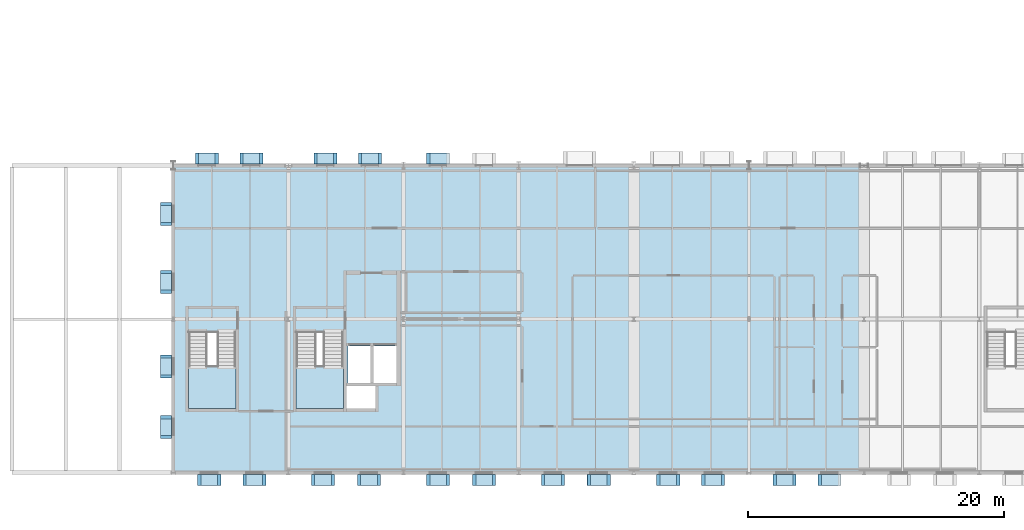
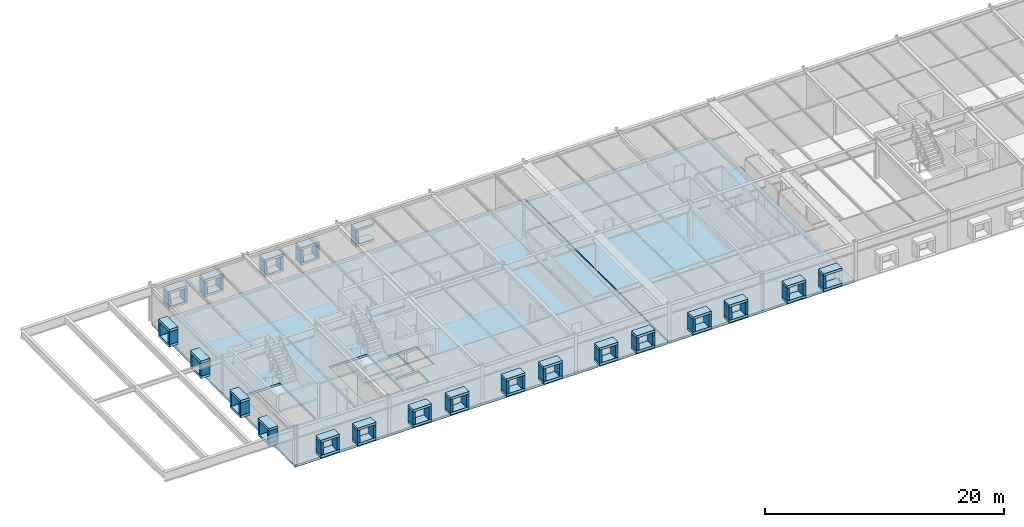
# One storey, part 16 of 36: 82 plates, 4 slabs, 2 elements without a shape of their own.
"""IFC4 building model written with IfcOpenShell, lengths in metres."""

from ifc_helpers import new_model, si_unit, direction, frame, origin, origin_2d, place, context, subcontext, project, spatial, polyline, rectangle, outline, extrude, material, layer, layer_set, type_object, element, aggregate, save


model = new_model("IFC4")

# Units and contexts
model_context = context("Model", 3, precision=1e-05, world=origin(), true_north=direction((0.0, 1.0)))
body_context = subcontext(model_context, "Body", "Model", "MODEL_VIEW")
ifc_project = project(units=[si_unit("LENGTHUNIT", "METRE"), si_unit("AREAUNIT", "SQUARE_METRE"), si_unit("VOLUMEUNIT", "CUBIC_METRE"), si_unit("PLANEANGLEUNIT", "RADIAN"), si_unit("MASSUNIT", "GRAM", prefix="KILO")], contexts=[model_context])

# Site, building, storey
site_placement = place(None, origin())
site = spatial("IfcSite", under=ifc_project, at=site_placement, CompositionType="ELEMENT")
building_placement = place(site_placement, origin())
building = spatial("IfcBuilding", under=site, at=building_placement, Name="Montelvaro Courts of Justice", CompositionType="ELEMENT")
storey_placement = place(building_placement, frame((0.0, 0.0, 23.39990234375)))
storey = spatial("IfcBuildingStorey", under=building, at=storey_placement, Name="L05", CompositionType="ELEMENT", Elevation=23.39990234375)

# Slabs
ifc_material_1 = material(Name="Concrete C35/45", Category="concrete")
ifc_layer_1 = layer(ifc_material_1, 0.239990234375)
ifc_layer_set_1 = layer_set([ifc_layer_1], Name="Concrete C35/45")
slab_type_1 = type_object("IfcSlabType", Name="FloorSlab_240", PredefinedType="FLOOR", material=ifc_layer_set_1)
slab_1_placement = place(storey_placement, frame((0.0, 0.0, -0.239990234375)))
element("IfcSlab", 1, at=slab_1_placement, inside=storey, type_object=slab_type_1, Name="Structural Slab SF-08 L05", PredefinedType="FLOOR", context=body_context, shape_type="SweptSolid", body=[
    extrude(outline(polyline([(45.0, 0.0), (80.949951171875, 0.0), (80.949951171875, 24.0), (45.0, 24.0), (45.0, 0.0)]), holes=[polyline([(54.60009765625, 5.0), (58.300048828125, 5.0), (58.300048828125, 11.0), (54.60009765625, 11.0), (54.60009765625, 5.0)]), polyline([(58.5400390625, 5.0), (60.800048828125, 5.0), (60.800048828125, 6.760009765625), (58.5400390625, 6.760009765625), (58.5400390625, 5.0)]), polyline([(58.64990234375, 7.0), (60.5, 7.0), (60.5, 9.89990234375), (58.64990234375, 9.89990234375), (58.64990234375, 7.0)]), polyline([(60.60009765625, 7.0), (62.449951171875, 7.0), (62.449951171875, 9.89990234375), (60.60009765625, 9.89990234375), (60.60009765625, 7.0)]), polyline([(46.199951171875, 5.0), (49.89990234375, 5.0), (49.89990234375, 11.0), (46.199951171875, 11.0), (46.199951171875, 5.0)])]), origin(), (0.0, 0.0, 1.0), 0.239990234375),
])
slab_2_placement = place(storey_placement, frame((0.0, 0.0, -0.239990234375)))
element("IfcSlab", 2, at=slab_2_placement, inside=storey, type_object=slab_type_1, Name="Structural Slab SF-08 L05", PredefinedType="FLOOR", context=body_context, shape_type="SweptSolid", body=[
    extrude(outline(polyline([(81.050048828125, 0.0), (98.949951171875, 0.0), (98.949951171875, 24.0), (81.050048828125, 24.0), (81.050048828125, 0.0)])), origin(), (0.0, 0.0, 1.0), 0.239990234375),
])

# Plates
ifc_material_2 = material(Name="White mineral precast concrete C45/55", Category="concrete")
ifc_layer_2 = layer(ifc_material_2, 0.25)
ifc_layer_set_2 = layer_set([ifc_layer_2], Name="White mineral precast concrete C45/55")
plate_type = type_object("IfcPlateType", Name="PrecastSquareFrame_250x850", PredefinedType="SHEET", material=ifc_layer_set_2)
for number, where, z_axis, x_axis, name in (
    (3, (47.81494140625, -0.56005859375, 2.2001953125), (0.0, 0.0, 1.0), (1.0, 0.0, 0.0), "Graduated Square Window Frame PF-03 W-L05-237 TOP"),
    (4, (47.81494140625, -0.56005859375, 0.650146484375), (0.0, 0.0, 1.0), (1.0, 0.0, 0.0), "Graduated Square Window Frame PF-03 W-L05-237 BOT"),
):
    element("IfcPlate", number, at=place(storey_placement, frame(where, z_axis=z_axis, x_axis=x_axis)), inside=storey, type_object=plate_type, Name=name, PredefinedType="SHEET", context=body_context, shape_type="SweptSolid", body=[
        extrude(rectangle(XDim=1.800048828125, YDim=0.860107421875, at=origin_2d()), origin(), (0.0, 0.0, 1.0), 0.25),
    ])
for number, where, z_axis, x_axis, name in (
    (5, (47.0400390625, -0.56005859375, 0.89990234375), (0.0, 0.0, 1.0), (1.0, 0.0, 0.0), "Graduated Square Window Frame PF-03 W-L05-237 L"),
    (6, (48.590087890625, -0.56005859375, 0.89990234375), (0.0, 0.0, 1.0), (1.0, 0.0, 0.0), "Graduated Square Window Frame PF-03 W-L05-237 R"),
):
    element("IfcPlate", number, at=place(storey_placement, frame(where, z_axis=z_axis, x_axis=x_axis)), inside=storey, type_object=plate_type, Name=name, PredefinedType="SHEET", context=body_context, shape_type="SweptSolid", body=[
        extrude(rectangle(XDim=0.25, YDim=0.860107421875, at=origin_2d()), origin(), (0.0, 0.0, 1.0), 1.300048828125),
    ])
for number, where, z_axis, x_axis, name in (
    (7, (51.344970703125, -0.56005859375, 2.2001953125), (0.0, 0.0, 1.0), (1.0, 0.0, 0.0), "Graduated Square Window Frame PF-03 W-L05-238 TOP"),
    (8, (51.344970703125, -0.56005859375, 0.650146484375), (0.0, 0.0, 1.0), (1.0, 0.0, 0.0), "Graduated Square Window Frame PF-03 W-L05-238 BOT"),
):
    element("IfcPlate", number, at=place(storey_placement, frame(where, z_axis=z_axis, x_axis=x_axis)), inside=storey, type_object=plate_type, Name=name, PredefinedType="SHEET", context=body_context, shape_type="SweptSolid", body=[
        extrude(rectangle(XDim=1.800048828125, YDim=0.860107421875, at=origin_2d()), origin(), (0.0, 0.0, 1.0), 0.25),
    ])
for number, where, z_axis, x_axis, name in (
    (9, (50.570068359375, -0.56005859375, 0.89990234375), (0.0, 0.0, 1.0), (1.0, 0.0, 0.0), "Graduated Square Window Frame PF-03 W-L05-238 L"),
    (10, (52.1201171875, -0.56005859375, 0.89990234375), (0.0, 0.0, 1.0), (1.0, 0.0, 0.0), "Graduated Square Window Frame PF-03 W-L05-238 R"),
):
    element("IfcPlate", number, at=place(storey_placement, frame(where, z_axis=z_axis, x_axis=x_axis)), inside=storey, type_object=plate_type, Name=name, PredefinedType="SHEET", context=body_context, shape_type="SweptSolid", body=[
        extrude(rectangle(XDim=0.25, YDim=0.860107421875, at=origin_2d()), origin(), (0.0, 0.0, 1.0), 1.300048828125),
    ])
for number, where, z_axis, x_axis, name in (
    (11, (56.702880859375, -0.56005859375, 2.2001953125), (0.0, 0.0, 1.0), (1.0, 0.0, 0.0), "Graduated Square Window Frame PF-03 W-L05-239 TOP"),
    (12, (56.702880859375, -0.56005859375, 0.650146484375), (0.0, 0.0, 1.0), (1.0, 0.0, 0.0), "Graduated Square Window Frame PF-03 W-L05-239 BOT"),
):
    element("IfcPlate", number, at=place(storey_placement, frame(where, z_axis=z_axis, x_axis=x_axis)), inside=storey, type_object=plate_type, Name=name, PredefinedType="SHEET", context=body_context, shape_type="SweptSolid", body=[
        extrude(rectangle(XDim=1.800048828125, YDim=0.860107421875, at=origin_2d()), origin(), (0.0, 0.0, 1.0), 0.25),
    ])
for number, where, z_axis, x_axis, name in (
    (13, (55.927978515625, -0.56005859375, 0.89990234375), (0.0, 0.0, 1.0), (1.0, 0.0, 0.0), "Graduated Square Window Frame PF-03 W-L05-239 L"),
    (14, (57.47802734375, -0.56005859375, 0.89990234375), (0.0, 0.0, 1.0), (1.0, 0.0, 0.0), "Graduated Square Window Frame PF-03 W-L05-239 R"),
):
    element("IfcPlate", number, at=place(storey_placement, frame(where, z_axis=z_axis, x_axis=x_axis)), inside=storey, type_object=plate_type, Name=name, PredefinedType="SHEET", context=body_context, shape_type="SweptSolid", body=[
        extrude(rectangle(XDim=0.25, YDim=0.860107421875, at=origin_2d()), origin(), (0.0, 0.0, 1.0), 1.300048828125),
    ])
for number, where, z_axis, x_axis, name in (
    (15, (60.297119140625, -0.56005859375, 2.2001953125), (0.0, 0.0, 1.0), (1.0, 0.0, 0.0), "Graduated Square Window Frame PF-03 W-L05-240 TOP"),
    (16, (60.297119140625, -0.56005859375, 0.650146484375), (0.0, 0.0, 1.0), (1.0, 0.0, 0.0), "Graduated Square Window Frame PF-03 W-L05-240 BOT"),
):
    element("IfcPlate", number, at=place(storey_placement, frame(where, z_axis=z_axis, x_axis=x_axis)), inside=storey, type_object=plate_type, Name=name, PredefinedType="SHEET", context=body_context, shape_type="SweptSolid", body=[
        extrude(rectangle(XDim=1.800048828125, YDim=0.860107421875, at=origin_2d()), origin(), (0.0, 0.0, 1.0), 0.25),
    ])
for number, where, z_axis, x_axis, name in (
    (17, (59.52197265625, -0.56005859375, 0.89990234375), (0.0, 0.0, 1.0), (1.0, 0.0, 0.0), "Graduated Square Window Frame PF-03 W-L05-240 L"),
    (18, (61.072021484375, -0.56005859375, 0.89990234375), (0.0, 0.0, 1.0), (1.0, 0.0, 0.0), "Graduated Square Window Frame PF-03 W-L05-240 R"),
):
    element("IfcPlate", number, at=place(storey_placement, frame(where, z_axis=z_axis, x_axis=x_axis)), inside=storey, type_object=plate_type, Name=name, PredefinedType="SHEET", context=body_context, shape_type="SweptSolid", body=[
        extrude(rectangle(XDim=0.25, YDim=0.860107421875, at=origin_2d()), origin(), (0.0, 0.0, 1.0), 1.300048828125),
    ])
for number, where, z_axis, x_axis, name in (
    (19, (65.702880859375, -0.56005859375, 2.2001953125), (0.0, 0.0, 1.0), (1.0, 0.0, 0.0), "Graduated Square Window Frame PF-03 W-L05-241 TOP"),
    (20, (65.702880859375, -0.56005859375, 0.650146484375), (0.0, 0.0, 1.0), (1.0, 0.0, 0.0), "Graduated Square Window Frame PF-03 W-L05-241 BOT"),
):
    element("IfcPlate", number, at=place(storey_placement, frame(where, z_axis=z_axis, x_axis=x_axis)), inside=storey, type_object=plate_type, Name=name, PredefinedType="SHEET", context=body_context, shape_type="SweptSolid", body=[
        extrude(rectangle(XDim=1.800048828125, YDim=0.860107421875, at=origin_2d()), origin(), (0.0, 0.0, 1.0), 0.25),
    ])
for number, where, z_axis, x_axis, name in (
    (21, (64.927978515625, -0.56005859375, 0.89990234375), (0.0, 0.0, 1.0), (1.0, 0.0, 0.0), "Graduated Square Window Frame PF-03 W-L05-241 L"),
    (22, (66.47802734375, -0.56005859375, 0.89990234375), (0.0, 0.0, 1.0), (1.0, 0.0, 0.0), "Graduated Square Window Frame PF-03 W-L05-241 R"),
):
    element("IfcPlate", number, at=place(storey_placement, frame(where, z_axis=z_axis, x_axis=x_axis)), inside=storey, type_object=plate_type, Name=name, PredefinedType="SHEET", context=body_context, shape_type="SweptSolid", body=[
        extrude(rectangle(XDim=0.25, YDim=0.860107421875, at=origin_2d()), origin(), (0.0, 0.0, 1.0), 1.300048828125),
    ])
for number, where, z_axis, x_axis, name in (
    (23, (69.297119140625, -0.56005859375, 2.2001953125), (0.0, 0.0, 1.0), (1.0, 0.0, 0.0), "Graduated Square Window Frame PF-03 W-L05-242 TOP"),
    (24, (69.297119140625, -0.56005859375, 0.650146484375), (0.0, 0.0, 1.0), (1.0, 0.0, 0.0), "Graduated Square Window Frame PF-03 W-L05-242 BOT"),
):
    element("IfcPlate", number, at=place(storey_placement, frame(where, z_axis=z_axis, x_axis=x_axis)), inside=storey, type_object=plate_type, Name=name, PredefinedType="SHEET", context=body_context, shape_type="SweptSolid", body=[
        extrude(rectangle(XDim=1.800048828125, YDim=0.860107421875, at=origin_2d()), origin(), (0.0, 0.0, 1.0), 0.25),
    ])
for number, where, z_axis, x_axis, name in (
    (25, (68.52197265625, -0.56005859375, 0.89990234375), (0.0, 0.0, 1.0), (1.0, 0.0, 0.0), "Graduated Square Window Frame PF-03 W-L05-242 L"),
    (26, (70.072021484375, -0.56005859375, 0.89990234375), (0.0, 0.0, 1.0), (1.0, 0.0, 0.0), "Graduated Square Window Frame PF-03 W-L05-242 R"),
):
    element("IfcPlate", number, at=place(storey_placement, frame(where, z_axis=z_axis, x_axis=x_axis)), inside=storey, type_object=plate_type, Name=name, PredefinedType="SHEET", context=body_context, shape_type="SweptSolid", body=[
        extrude(rectangle(XDim=0.25, YDim=0.860107421875, at=origin_2d()), origin(), (0.0, 0.0, 1.0), 1.300048828125),
    ])
for number, where, z_axis, x_axis, name in (
    (27, (74.68798828125, -0.56005859375, 2.2001953125), (0.0, 0.0, 1.0), (1.0, 0.0, 0.0), "Graduated Square Window Frame PF-03 W-L05-243 TOP"),
    (28, (74.68798828125, -0.56005859375, 0.650146484375), (0.0, 0.0, 1.0), (1.0, 0.0, 0.0), "Graduated Square Window Frame PF-03 W-L05-243 BOT"),
):
    element("IfcPlate", number, at=place(storey_placement, frame(where, z_axis=z_axis, x_axis=x_axis)), inside=storey, type_object=plate_type, Name=name, PredefinedType="SHEET", context=body_context, shape_type="SweptSolid", body=[
        extrude(rectangle(XDim=1.800048828125, YDim=0.860107421875, at=origin_2d()), origin(), (0.0, 0.0, 1.0), 0.25),
    ])
for number, where, z_axis, x_axis, name in (
    (29, (73.9130859375, -0.56005859375, 0.89990234375), (0.0, 0.0, 1.0), (1.0, 0.0, 0.0), "Graduated Square Window Frame PF-03 W-L05-243 L"),
    (30, (75.462890625, -0.56005859375, 0.89990234375), (0.0, 0.0, 1.0), (1.0, 0.0, 0.0), "Graduated Square Window Frame PF-03 W-L05-243 R"),
):
    element("IfcPlate", number, at=place(storey_placement, frame(where, z_axis=z_axis, x_axis=x_axis)), inside=storey, type_object=plate_type, Name=name, PredefinedType="SHEET", context=body_context, shape_type="SweptSolid", body=[
        extrude(rectangle(XDim=0.25, YDim=0.860107421875, at=origin_2d()), origin(), (0.0, 0.0, 1.0), 1.300048828125),
    ])
for number, where, z_axis, x_axis, name in (
    (31, (78.261962890625, -0.56005859375, 2.2001953125), (0.0, 0.0, 1.0), (1.0, 0.0, 0.0), "Graduated Square Window Frame PF-03 W-L05-244 TOP"),
    (32, (78.261962890625, -0.56005859375, 0.650146484375), (0.0, 0.0, 1.0), (1.0, 0.0, 0.0), "Graduated Square Window Frame PF-03 W-L05-244 BOT"),
):
    element("IfcPlate", number, at=place(storey_placement, frame(where, z_axis=z_axis, x_axis=x_axis)), inside=storey, type_object=plate_type, Name=name, PredefinedType="SHEET", context=body_context, shape_type="SweptSolid", body=[
        extrude(rectangle(XDim=1.800048828125, YDim=0.860107421875, at=origin_2d()), origin(), (0.0, 0.0, 1.0), 0.25),
    ])
for number, where, z_axis, x_axis, name in (
    (33, (77.487060546875, -0.56005859375, 0.89990234375), (0.0, 0.0, 1.0), (1.0, 0.0, 0.0), "Graduated Square Window Frame PF-03 W-L05-244 L"),
    (34, (79.037109375, -0.56005859375, 0.89990234375), (0.0, 0.0, 1.0), (1.0, 0.0, 0.0), "Graduated Square Window Frame PF-03 W-L05-244 R"),
):
    element("IfcPlate", number, at=place(storey_placement, frame(where, z_axis=z_axis, x_axis=x_axis)), inside=storey, type_object=plate_type, Name=name, PredefinedType="SHEET", context=body_context, shape_type="SweptSolid", body=[
        extrude(rectangle(XDim=0.25, YDim=0.860107421875, at=origin_2d()), origin(), (0.0, 0.0, 1.0), 1.300048828125),
    ])
for number, where, z_axis, x_axis, name in (
    (35, (65.702880859375, 24.56005859375, 2.2001953125), (0.0, 0.0, 1.0), (-1.0, 0.0, 0.0), "Graduated Square Window Frame PF-03 W-L05-247 TOP"),
    (36, (65.702880859375, 24.56005859375, 0.650146484375), (0.0, 0.0, 1.0), (-1.0, 0.0, 0.0), "Graduated Square Window Frame PF-03 W-L05-247 BOT"),
):
    element("IfcPlate", number, at=place(storey_placement, frame(where, z_axis=z_axis, x_axis=x_axis)), inside=storey, type_object=plate_type, Name=name, PredefinedType="SHEET", context=body_context, shape_type="SweptSolid", body=[
        extrude(rectangle(XDim=1.800048828125, YDim=0.860107421875, at=origin_2d()), origin(), (0.0, 0.0, 1.0), 0.25),
    ])
plate_1_placement = place(storey_placement, frame((64.927978515625, 24.56005859375, 0.89990234375), z_axis=(0.0, 0.0, 1.0), x_axis=(-1.0, 0.0, 0.0)))
element("IfcPlate", 37, at=plate_1_placement, inside=storey, type_object=plate_type, Name="Graduated Square Window Frame PF-03 W-L05-247 R", PredefinedType="SHEET", context=body_context, shape_type="SweptSolid", body=[
    extrude(rectangle(XDim=0.25, YDim=0.860107421875, at=origin_2d()), origin(), (0.0, 0.0, 1.0), 1.300048828125),
])
for number, where, z_axis, x_axis, name in (
    (38, (60.3759765625, 24.56005859375, 2.2001953125), (0.0, 0.0, 1.0), (-1.0, 0.0, 0.0), "Graduated Square Window Frame PF-03 W-L05-248 TOP"),
    (39, (60.3759765625, 24.56005859375, 0.650146484375), (0.0, 0.0, 1.0), (-1.0, 0.0, 0.0), "Graduated Square Window Frame PF-03 W-L05-248 BOT"),
):
    element("IfcPlate", number, at=place(storey_placement, frame(where, z_axis=z_axis, x_axis=x_axis)), inside=storey, type_object=plate_type, Name=name, PredefinedType="SHEET", context=body_context, shape_type="SweptSolid", body=[
        extrude(rectangle(XDim=1.800048828125, YDim=0.860107421875, at=origin_2d()), origin(), (0.0, 0.0, 1.0), 0.25),
    ])
for number, where, z_axis, x_axis, name in (
    (40, (61.15087890625, 24.56005859375, 0.89990234375), (0.0, 0.0, 1.0), (-1.0, 0.0, 0.0), "Graduated Square Window Frame PF-03 W-L05-248 L"),
    (41, (59.60107421875, 24.56005859375, 0.89990234375), (0.0, 0.0, 1.0), (-1.0, 0.0, 0.0), "Graduated Square Window Frame PF-03 W-L05-248 R"),
):
    element("IfcPlate", number, at=place(storey_placement, frame(where, z_axis=z_axis, x_axis=x_axis)), inside=storey, type_object=plate_type, Name=name, PredefinedType="SHEET", context=body_context, shape_type="SweptSolid", body=[
        extrude(rectangle(XDim=0.25, YDim=0.860107421875, at=origin_2d()), origin(), (0.0, 0.0, 1.0), 1.300048828125),
    ])
for number, where, z_axis, x_axis, name in (
    (42, (56.888916015625, 24.56005859375, 2.2001953125), (0.0, 0.0, 1.0), (-1.0, 0.0, 0.0), "Graduated Square Window Frame PF-03 W-L05-249 TOP"),
    (43, (56.888916015625, 24.56005859375, 0.650146484375), (0.0, 0.0, 1.0), (-1.0, 0.0, 0.0), "Graduated Square Window Frame PF-03 W-L05-249 BOT"),
):
    element("IfcPlate", number, at=place(storey_placement, frame(where, z_axis=z_axis, x_axis=x_axis)), inside=storey, type_object=plate_type, Name=name, PredefinedType="SHEET", context=body_context, shape_type="SweptSolid", body=[
        extrude(rectangle(XDim=1.800048828125, YDim=0.860107421875, at=origin_2d()), origin(), (0.0, 0.0, 1.0), 0.25),
    ])
for number, where, z_axis, x_axis, name in (
    (44, (57.6640625, 24.56005859375, 0.89990234375), (0.0, 0.0, 1.0), (-1.0, 0.0, 0.0), "Graduated Square Window Frame PF-03 W-L05-249 L"),
    (45, (56.114013671875, 24.56005859375, 0.89990234375), (0.0, 0.0, 1.0), (-1.0, 0.0, 0.0), "Graduated Square Window Frame PF-03 W-L05-249 R"),
):
    element("IfcPlate", number, at=place(storey_placement, frame(where, z_axis=z_axis, x_axis=x_axis)), inside=storey, type_object=plate_type, Name=name, PredefinedType="SHEET", context=body_context, shape_type="SweptSolid", body=[
        extrude(rectangle(XDim=0.25, YDim=0.860107421875, at=origin_2d()), origin(), (0.0, 0.0, 1.0), 1.300048828125),
    ])
for number, where, z_axis, x_axis, name in (
    (46, (51.111083984375, 24.56005859375, 2.2001953125), (0.0, 0.0, 1.0), (-1.0, 0.0, 0.0), "Graduated Square Window Frame PF-03 W-L05-250 TOP"),
    (47, (51.111083984375, 24.56005859375, 0.650146484375), (0.0, 0.0, 1.0), (-1.0, 0.0, 0.0), "Graduated Square Window Frame PF-03 W-L05-250 BOT"),
):
    element("IfcPlate", number, at=place(storey_placement, frame(where, z_axis=z_axis, x_axis=x_axis)), inside=storey, type_object=plate_type, Name=name, PredefinedType="SHEET", context=body_context, shape_type="SweptSolid", body=[
        extrude(rectangle(XDim=1.800048828125, YDim=0.860107421875, at=origin_2d()), origin(), (0.0, 0.0, 1.0), 0.25),
    ])
for number, where, z_axis, x_axis, name in (
    (48, (51.885986328125, 24.56005859375, 0.89990234375), (0.0, 0.0, 1.0), (-1.0, 0.0, 0.0), "Graduated Square Window Frame PF-03 W-L05-250 L"),
    (49, (50.3359375, 24.56005859375, 0.89990234375), (0.0, 0.0, 1.0), (-1.0, 0.0, 0.0), "Graduated Square Window Frame PF-03 W-L05-250 R"),
):
    element("IfcPlate", number, at=place(storey_placement, frame(where, z_axis=z_axis, x_axis=x_axis)), inside=storey, type_object=plate_type, Name=name, PredefinedType="SHEET", context=body_context, shape_type="SweptSolid", body=[
        extrude(rectangle(XDim=0.25, YDim=0.860107421875, at=origin_2d()), origin(), (0.0, 0.0, 1.0), 1.300048828125),
    ])
for number, where, z_axis, x_axis, name in (
    (50, (47.6240234375, 24.56005859375, 2.2001953125), (0.0, 0.0, 1.0), (-1.0, 0.0, 0.0), "Graduated Square Window Frame PF-03 W-L05-251 TOP"),
    (51, (47.6240234375, 24.56005859375, 0.650146484375), (0.0, 0.0, 1.0), (-1.0, 0.0, 0.0), "Graduated Square Window Frame PF-03 W-L05-251 BOT"),
):
    element("IfcPlate", number, at=place(storey_placement, frame(where, z_axis=z_axis, x_axis=x_axis)), inside=storey, type_object=plate_type, Name=name, PredefinedType="SHEET", context=body_context, shape_type="SweptSolid", body=[
        extrude(rectangle(XDim=1.800048828125, YDim=0.860107421875, at=origin_2d()), origin(), (0.0, 0.0, 1.0), 0.25),
    ])
for number, where, z_axis, x_axis, name in (
    (52, (48.39892578125, 24.56005859375, 0.89990234375), (0.0, 0.0, 1.0), (-1.0, 0.0, 0.0), "Graduated Square Window Frame PF-03 W-L05-251 L"),
    (53, (46.84912109375, 24.56005859375, 0.89990234375), (0.0, 0.0, 1.0), (-1.0, 0.0, 0.0), "Graduated Square Window Frame PF-03 W-L05-251 R"),
):
    element("IfcPlate", number, at=place(storey_placement, frame(where, z_axis=z_axis, x_axis=x_axis)), inside=storey, type_object=plate_type, Name=name, PredefinedType="SHEET", context=body_context, shape_type="SweptSolid", body=[
        extrude(rectangle(XDim=0.25, YDim=0.860107421875, at=origin_2d()), origin(), (0.0, 0.0, 1.0), 1.300048828125),
    ])
for number, where, z_axis, x_axis, name in (
    (54, (44.43994140625, 20.218017578125, 2.2001953125), (0.0, 0.0, 1.0), (0.0, -1.0, 0.0), "Graduated Square Window Frame PF-03 W-L05-252 TOP"),
    (55, (44.43994140625, 20.218017578125, 0.650146484375), (0.0, 0.0, 1.0), (0.0, -1.0, 0.0), "Graduated Square Window Frame PF-03 W-L05-252 BOT"),
):
    element("IfcPlate", number, at=place(storey_placement, frame(where, z_axis=z_axis, x_axis=x_axis)), inside=storey, type_object=plate_type, Name=name, PredefinedType="SHEET", context=body_context, shape_type="SweptSolid", body=[
        extrude(rectangle(XDim=1.800048828125, YDim=0.860107421875, at=origin_2d()), origin(), (0.0, 0.0, 1.0), 0.25),
    ])
for number, where, z_axis, x_axis, name in (
    (56, (44.43994140625, 20.992919921875, 0.89990234375), (0.0, 0.0, 1.0), (0.0, -1.0, 0.0), "Graduated Square Window Frame PF-03 W-L05-252 L"),
    (57, (44.43994140625, 19.443115234375, 0.89990234375), (0.0, 0.0, 1.0), (0.0, -1.0, 0.0), "Graduated Square Window Frame PF-03 W-L05-252 R"),
):
    element("IfcPlate", number, at=place(storey_placement, frame(where, z_axis=z_axis, x_axis=x_axis)), inside=storey, type_object=plate_type, Name=name, PredefinedType="SHEET", context=body_context, shape_type="SweptSolid", body=[
        extrude(rectangle(XDim=0.25, YDim=0.860107421875, at=origin_2d()), origin(), (0.0, 0.0, 1.0), 1.300048828125),
    ])
for number, where, z_axis, x_axis, name in (
    (58, (44.43994140625, 14.909912109375, 2.2001953125), (0.0, 0.0, 1.0), (0.0, -1.0, 0.0), "Graduated Square Window Frame PF-03 W-L05-253 TOP"),
    (59, (44.43994140625, 14.909912109375, 0.650146484375), (0.0, 0.0, 1.0), (0.0, -1.0, 0.0), "Graduated Square Window Frame PF-03 W-L05-253 BOT"),
):
    element("IfcPlate", number, at=place(storey_placement, frame(where, z_axis=z_axis, x_axis=x_axis)), inside=storey, type_object=plate_type, Name=name, PredefinedType="SHEET", context=body_context, shape_type="SweptSolid", body=[
        extrude(rectangle(XDim=1.800048828125, YDim=0.860107421875, at=origin_2d()), origin(), (0.0, 0.0, 1.0), 0.25),
    ])
for number, where, z_axis, x_axis, name in (
    (60, (44.43994140625, 15.68505859375, 0.89990234375), (0.0, 0.0, 1.0), (0.0, -1.0, 0.0), "Graduated Square Window Frame PF-03 W-L05-253 L"),
    (61, (44.43994140625, 14.135009765625, 0.89990234375), (0.0, 0.0, 1.0), (0.0, -1.0, 0.0), "Graduated Square Window Frame PF-03 W-L05-253 R"),
):
    element("IfcPlate", number, at=place(storey_placement, frame(where, z_axis=z_axis, x_axis=x_axis)), inside=storey, type_object=plate_type, Name=name, PredefinedType="SHEET", context=body_context, shape_type="SweptSolid", body=[
        extrude(rectangle(XDim=0.25, YDim=0.860107421875, at=origin_2d()), origin(), (0.0, 0.0, 1.0), 1.300048828125),
    ])
for number, where, z_axis, x_axis, name in (
    (62, (44.43994140625, 8.299072265625, 2.2001953125), (0.0, 0.0, 1.0), (0.0, -1.0, 0.0), "Graduated Square Window Frame PF-03 W-L05-254 TOP"),
    (63, (44.43994140625, 8.299072265625, 0.650146484375), (0.0, 0.0, 1.0), (0.0, -1.0, 0.0), "Graduated Square Window Frame PF-03 W-L05-254 BOT"),
):
    element("IfcPlate", number, at=place(storey_placement, frame(where, z_axis=z_axis, x_axis=x_axis)), inside=storey, type_object=plate_type, Name=name, PredefinedType="SHEET", context=body_context, shape_type="SweptSolid", body=[
        extrude(rectangle(XDim=1.800048828125, YDim=0.860107421875, at=origin_2d()), origin(), (0.0, 0.0, 1.0), 0.25),
    ])
for number, where, z_axis, x_axis, name in (
    (64, (44.43994140625, 9.073974609375, 0.89990234375), (0.0, 0.0, 1.0), (0.0, -1.0, 0.0), "Graduated Square Window Frame PF-03 W-L05-254 L"),
    (65, (44.43994140625, 7.52392578125, 0.89990234375), (0.0, 0.0, 1.0), (0.0, -1.0, 0.0), "Graduated Square Window Frame PF-03 W-L05-254 R"),
):
    element("IfcPlate", number, at=place(storey_placement, frame(where, z_axis=z_axis, x_axis=x_axis)), inside=storey, type_object=plate_type, Name=name, PredefinedType="SHEET", context=body_context, shape_type="SweptSolid", body=[
        extrude(rectangle(XDim=0.25, YDim=0.860107421875, at=origin_2d()), origin(), (0.0, 0.0, 1.0), 1.300048828125),
    ])
for number, where, z_axis, x_axis, name in (
    (66, (44.43994140625, 3.56103515625, 2.2001953125), (0.0, 0.0, 1.0), (0.0, -1.0, 0.0), "Graduated Square Window Frame PF-03 W-L05-255 TOP"),
    (67, (44.43994140625, 3.56103515625, 0.650146484375), (0.0, 0.0, 1.0), (0.0, -1.0, 0.0), "Graduated Square Window Frame PF-03 W-L05-255 BOT"),
):
    element("IfcPlate", number, at=place(storey_placement, frame(where, z_axis=z_axis, x_axis=x_axis)), inside=storey, type_object=plate_type, Name=name, PredefinedType="SHEET", context=body_context, shape_type="SweptSolid", body=[
        extrude(rectangle(XDim=1.800048828125, YDim=0.860107421875, at=origin_2d()), origin(), (0.0, 0.0, 1.0), 0.25),
    ])
for number, where, z_axis, x_axis, name in (
    (68, (44.43994140625, 4.3359375, 0.89990234375), (0.0, 0.0, 1.0), (0.0, -1.0, 0.0), "Graduated Square Window Frame PF-03 W-L05-255 L"),
    (69, (44.43994140625, 2.785888671875, 0.89990234375), (0.0, 0.0, 1.0), (0.0, -1.0, 0.0), "Graduated Square Window Frame PF-03 W-L05-255 R"),
):
    element("IfcPlate", number, at=place(storey_placement, frame(where, z_axis=z_axis, x_axis=x_axis)), inside=storey, type_object=plate_type, Name=name, PredefinedType="SHEET", context=body_context, shape_type="SweptSolid", body=[
        extrude(rectangle(XDim=0.25, YDim=0.860107421875, at=origin_2d()), origin(), (0.0, 0.0, 1.0), 1.300048828125),
    ])
for number, where, z_axis, x_axis, name in (
    (70, (83.693115234375, -0.56005859375, 2.2001953125), (0.0, 0.0, 1.0), (1.0, 0.0, 0.0), "Graduated Square Window Frame PF-03 W-L05-256 TOP"),
    (71, (83.693115234375, -0.56005859375, 0.650146484375), (0.0, 0.0, 1.0), (1.0, 0.0, 0.0), "Graduated Square Window Frame PF-03 W-L05-256 BOT"),
):
    element("IfcPlate", number, at=place(storey_placement, frame(where, z_axis=z_axis, x_axis=x_axis)), inside=storey, type_object=plate_type, Name=name, PredefinedType="SHEET", context=body_context, shape_type="SweptSolid", body=[
        extrude(rectangle(XDim=1.800048828125, YDim=0.860107421875, at=origin_2d()), origin(), (0.0, 0.0, 1.0), 0.25),
    ])
for number, where, z_axis, x_axis, name in (
    (72, (82.91796875, -0.56005859375, 0.89990234375), (0.0, 0.0, 1.0), (1.0, 0.0, 0.0), "Graduated Square Window Frame PF-03 W-L05-256 L"),
    (73, (84.468017578125, -0.56005859375, 0.89990234375), (0.0, 0.0, 1.0), (1.0, 0.0, 0.0), "Graduated Square Window Frame PF-03 W-L05-256 R"),
):
    element("IfcPlate", number, at=place(storey_placement, frame(where, z_axis=z_axis, x_axis=x_axis)), inside=storey, type_object=plate_type, Name=name, PredefinedType="SHEET", context=body_context, shape_type="SweptSolid", body=[
        extrude(rectangle(XDim=0.25, YDim=0.860107421875, at=origin_2d()), origin(), (0.0, 0.0, 1.0), 1.300048828125),
    ])
for number, where, z_axis, x_axis, name in (
    (74, (87.20703125, -0.56005859375, 2.2001953125), (0.0, 0.0, 1.0), (1.0, 0.0, 0.0), "Graduated Square Window Frame PF-03 W-L05-257 TOP"),
    (75, (87.20703125, -0.56005859375, 0.650146484375), (0.0, 0.0, 1.0), (1.0, 0.0, 0.0), "Graduated Square Window Frame PF-03 W-L05-257 BOT"),
):
    element("IfcPlate", number, at=place(storey_placement, frame(where, z_axis=z_axis, x_axis=x_axis)), inside=storey, type_object=plate_type, Name=name, PredefinedType="SHEET", context=body_context, shape_type="SweptSolid", body=[
        extrude(rectangle(XDim=1.800048828125, YDim=0.860107421875, at=origin_2d()), origin(), (0.0, 0.0, 1.0), 0.25),
    ])
for number, where, z_axis, x_axis, name in (
    (76, (86.431884765625, -0.56005859375, 0.89990234375), (0.0, 0.0, 1.0), (1.0, 0.0, 0.0), "Graduated Square Window Frame PF-03 W-L05-257 L"),
    (77, (87.98193359375, -0.56005859375, 0.89990234375), (0.0, 0.0, 1.0), (1.0, 0.0, 0.0), "Graduated Square Window Frame PF-03 W-L05-257 R"),
):
    element("IfcPlate", number, at=place(storey_placement, frame(where, z_axis=z_axis, x_axis=x_axis)), inside=storey, type_object=plate_type, Name=name, PredefinedType="SHEET", context=body_context, shape_type="SweptSolid", body=[
        extrude(rectangle(XDim=0.25, YDim=0.860107421875, at=origin_2d()), origin(), (0.0, 0.0, 1.0), 1.300048828125),
    ])
for number, where, z_axis, x_axis, name in (
    (78, (92.79296875, -0.56005859375, 2.2001953125), (0.0, 0.0, 1.0), (1.0, 0.0, 0.0), "Graduated Square Window Frame PF-03 W-L05-258 TOP"),
    (79, (92.79296875, -0.56005859375, 0.650146484375), (0.0, 0.0, 1.0), (1.0, 0.0, 0.0), "Graduated Square Window Frame PF-03 W-L05-258 BOT"),
):
    element("IfcPlate", number, at=place(storey_placement, frame(where, z_axis=z_axis, x_axis=x_axis)), inside=storey, type_object=plate_type, Name=name, PredefinedType="SHEET", context=body_context, shape_type="SweptSolid", body=[
        extrude(rectangle(XDim=1.800048828125, YDim=0.860107421875, at=origin_2d()), origin(), (0.0, 0.0, 1.0), 0.25),
    ])
for number, where, z_axis, x_axis, name in (
    (80, (92.01806640625, -0.56005859375, 0.89990234375), (0.0, 0.0, 1.0), (1.0, 0.0, 0.0), "Graduated Square Window Frame PF-03 W-L05-258 L"),
    (81, (93.568115234375, -0.56005859375, 0.89990234375), (0.0, 0.0, 1.0), (1.0, 0.0, 0.0), "Graduated Square Window Frame PF-03 W-L05-258 R"),
):
    element("IfcPlate", number, at=place(storey_placement, frame(where, z_axis=z_axis, x_axis=x_axis)), inside=storey, type_object=plate_type, Name=name, PredefinedType="SHEET", context=body_context, shape_type="SweptSolid", body=[
        extrude(rectangle(XDim=0.25, YDim=0.860107421875, at=origin_2d()), origin(), (0.0, 0.0, 1.0), 1.300048828125),
    ])
for number, where, z_axis, x_axis, name in (
    (82, (96.306884765625, -0.56005859375, 2.2001953125), (0.0, 0.0, 1.0), (1.0, 0.0, 0.0), "Graduated Square Window Frame PF-03 W-L05-259 TOP"),
    (83, (96.306884765625, -0.56005859375, 0.650146484375), (0.0, 0.0, 1.0), (1.0, 0.0, 0.0), "Graduated Square Window Frame PF-03 W-L05-259 BOT"),
):
    element("IfcPlate", number, at=place(storey_placement, frame(where, z_axis=z_axis, x_axis=x_axis)), inside=storey, type_object=plate_type, Name=name, PredefinedType="SHEET", context=body_context, shape_type="SweptSolid", body=[
        extrude(rectangle(XDim=1.800048828125, YDim=0.860107421875, at=origin_2d()), origin(), (0.0, 0.0, 1.0), 0.25),
    ])
plate_2_placement = place(storey_placement, frame((95.531982421875, -0.56005859375, 0.89990234375), z_axis=(0.0, 0.0, 1.0), x_axis=(1.0, 0.0, 0.0)))
element("IfcPlate", 84, at=plate_2_placement, inside=storey, type_object=plate_type, Name="Graduated Square Window Frame PF-03 W-L05-259 L", PredefinedType="SHEET", context=body_context, shape_type="SweptSolid", body=[
    extrude(rectangle(XDim=0.25, YDim=0.860107421875, at=origin_2d()), origin(), (0.0, 0.0, 1.0), 1.300048828125),
])

# Stair, slab
stair_type_1 = type_object("IfcStairType", Name="ProtectedStair_155", PredefinedType="HALF_TURN_STAIR", material=ifc_material_1)
stair_1_placement = place(storey_placement, origin())
stair_1 = element("IfcStair", 85, at=stair_1_placement, inside=storey, type_object=stair_type_1, Name="Protected Stair ST-K1-L05", PredefinedType="HALF_TURN_STAIR")
ifc_layer_3 = layer(ifc_material_1, 0.199951171875)
ifc_layer_set_3 = layer_set([ifc_layer_3], Name="Concrete C35/45")
slab_type_2 = type_object("IfcSlabType", Name="StairLanding_200", PredefinedType="LANDING", material=ifc_layer_set_3)
slab_3_placement = place(storey_placement, frame((0.0, 0.0, 1.800048828125)))
slab_3 = element("IfcSlab", 86, at=slab_3_placement, type_object=slab_type_2, Name="ST-K1-L05 landing 1", PredefinedType="LANDING", context=body_context, shape_type="SweptSolid", body=[
    extrude(outline(polyline([(54.60009765625, 5.0), (58.300048828125, 5.0), (58.300048828125, 8.304931640625), (54.60009765625, 8.304931640625), (54.60009765625, 5.0)])), origin(), (0.0, 0.0, 1.0), 0.199951171875),
])
aggregate(stair_1, [slab_3])

stair_type_2 = type_object("IfcStairType", Name="ProtectedStair_145", PredefinedType="HALF_TURN_STAIR", material=ifc_material_1)
stair_2_placement = place(storey_placement, origin())
stair_2 = element("IfcStair", 87, at=stair_2_placement, inside=storey, type_object=stair_type_2, Name="Protected Stair ST-E1-L05", PredefinedType="HALF_TURN_STAIR")
slab_4_placement = place(storey_placement, frame((0.0, 0.0, 1.800048828125)))
slab_4 = element("IfcSlab", 88, at=slab_4_placement, type_object=slab_type_2, Name="ST-E1-L05 landing 1", PredefinedType="LANDING", context=body_context, shape_type="SweptSolid", body=[
    extrude(outline(polyline([(46.199951171875, 5.0), (49.89990234375, 5.0), (49.89990234375, 8.304931640625), (46.199951171875, 8.304931640625), (46.199951171875, 5.0)])), origin(), (0.0, 0.0, 1.0), 0.199951171875),
])
aggregate(stair_2, [slab_4])

save(model, "model.ifc")
